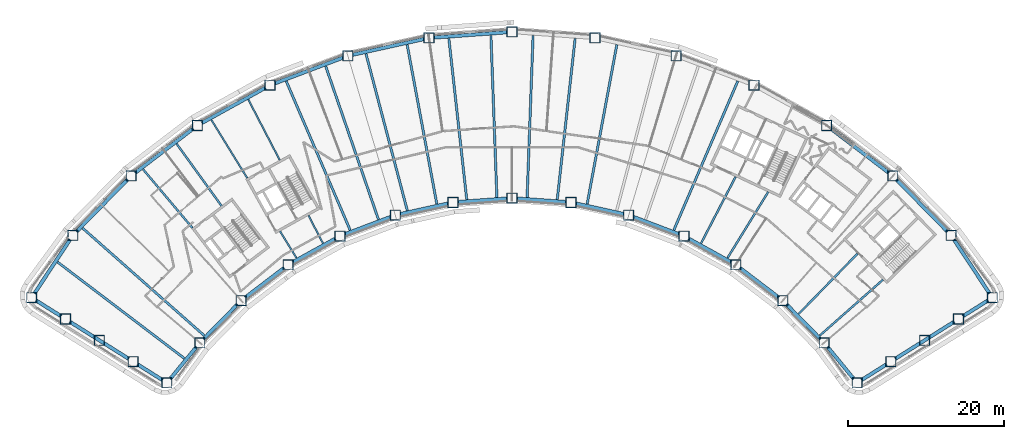
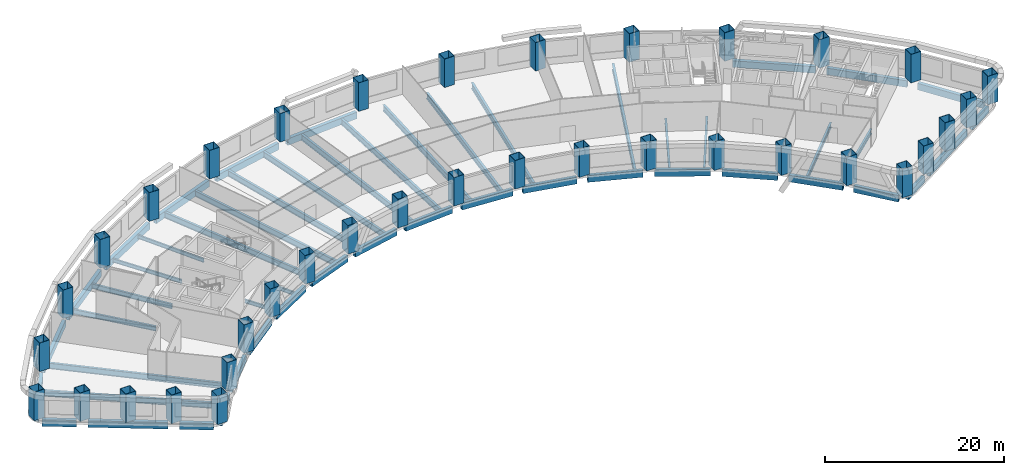
# One storey, part 1 of 11: 52 beams, 36 columns.
"""IFC4 building model written with IfcOpenShell, lengths in metres."""

from ifc_helpers import new_model, si_unit, direction, frame, origin, origin_2d, place, context, subcontext, project, spatial, hollow_rectangle, i_section, extrude, material, material_profile, profile_set, type_object, element, save


model = new_model("IFC4")

# Units and contexts
model_context = context("Model", 3, precision=1e-05, world=origin(), true_north=direction((0.0, 1.0)))
body_context = subcontext(model_context, "Body", "Model", "MODEL_VIEW")
ifc_project = project(units=[si_unit("LENGTHUNIT", "METRE"), si_unit("AREAUNIT", "SQUARE_METRE"), si_unit("VOLUMEUNIT", "CUBIC_METRE"), si_unit("PLANEANGLEUNIT", "RADIAN"), si_unit("MASSUNIT", "GRAM", prefix="KILO")], contexts=[model_context])

# Site, building, storey
site_placement = place(None, origin())
site = spatial("IfcSite", under=ifc_project, at=site_placement, CompositionType="ELEMENT")
building_placement = place(site_placement, origin())
building = spatial("IfcBuilding", under=site, at=building_placement, Name="Tuul Gate Civic Tower", CompositionType="ELEMENT")
storey_placement = place(building_placement, frame((0.0, 0.0, 35.699951171875)))
storey = spatial("IfcBuildingStorey", under=building, at=storey_placement, Name="Level 07", CompositionType="ELEMENT", Elevation=35.699951171875)

# Columns
ifc_material_1 = material(Name="Steel S355", Category="steel")
ifc_material_profile_1 = material_profile(ifc_material_1, hollow_rectangle(XDim=1.300048828125, YDim=1.300048828125, WallThickness=0.0400390625, at=origin_2d()), Name="BOX1300x1300x40")
ifc_profile_set_1 = profile_set([ifc_material_profile_1], Name="Steel S355")
column_type = type_object("IfcColumnType", Name="STR-COLUMN-BOX1300x1300x40", PredefinedType="COLUMN", material=ifc_profile_set_1)
for number, where, z_axis, x_axis, name in (
    (1, (61.6708984375, -20.22998046875, 0.0), (0.0, 0.0, 1.0), (1.0, 0.0, 0.0), "Column"),
    (2, (56.3720703125, -12.217041015625, 0.0), (0.0, 0.0, 1.0), (1.0, 0.0, 0.0), "Column"),
    (3, (48.89794921875, -4.592041015625, 0.0), (0.0, 0.0, 1.0), (1.0, 0.0, 0.0), "Column"),
    (4, (40.402099609375, 1.8759765625, 0.0), (0.0, 0.0, 1.0), (1.0, 0.0, 0.0), "Column"),
    (5, (31.06396484375, 7.052001953125, 0.0), (0.0, 0.0, 1.0), (1.0, 0.0, 0.0), "Column"),
    (6, (21.076904296875, 10.8291015625, 0.0), (0.0, 0.0, 1.0), (1.0, 0.0, 0.0), "Column"),
    (7, (10.64892578125, 13.126953125, 0.0), (0.0, 0.0, 1.0), (1.0, 0.0, 0.0), "Column"),
    (8, (0.0, 13.89794921875, 0.0), (0.0, 0.0, 1.0), (1.0, 0.0, 0.0), "Column"),
    (9, (-10.64892578125, 13.126953125, 0.0), (0.0, 0.0, 1.0), (1.0, 0.0, 0.0), "Column"),
    (10, (-21.076904296875, 10.8291015625, 0.0), (0.0, 0.0, 1.0), (1.0, 0.0, 0.0), "Column"),
    (11, (-31.06396484375, 7.052001953125, 0.0), (0.0, 0.0, 1.0), (1.0, 0.0, 0.0), "Column"),
    (12, (-40.402099609375, 1.8759765625, 0.0), (0.0, 0.0, 1.0), (1.0, 0.0, 0.0), "Column"),
    (13, (-48.89794921875, -4.592041015625, 0.0), (0.0, 0.0, 1.0), (1.0, 0.0, 0.0), "Column"),
    (14, (-56.3720703125, -12.217041015625, 0.0), (0.0, 0.0, 1.0), (1.0, 0.0, 0.0), "Column"),
    (15, (-61.6708984375, -20.22998046875, 0.0), (0.0, 0.0, 1.0), (1.0, 0.0, 0.0), "Column"),
    (16, (-57.327880859375, -22.964111328125, 0.0), (0.0, 0.0, 1.0), (1.0, 0.0, 0.0), "Column"),
    (17, (-52.986083984375, -25.698974609375, 0.0), (0.0, 0.0, 1.0), (1.0, 0.0, 0.0), "Column"),
    (18, (-48.64306640625, -28.43408203125, 0.0), (0.0, 0.0, 1.0), (1.0, 0.0, 0.0), "Column"),
    (19, (-44.301025390625, -31.16796875, 0.0), (0.0, 0.0, 1.0), (1.0, 0.0, 0.0), "Column"),
    (20, (-40.0810546875, -26.02587890625, 0.0), (0.0, 0.0, 1.0), (1.0, 0.0, 0.0), "Column"),
    (21, (-34.76708984375, -20.60498046875, 0.0), (0.0, 0.0, 1.0), (1.0, 0.0, 0.0), "Column"),
    (22, (-28.72705078125, -16.006103515625, 0.0), (0.0, 0.0, 1.0), (1.0, 0.0, 0.0), "Column"),
    (23, (-22.0869140625, -12.324951171875, 0.0), (0.0, 0.0, 1.0), (1.0, 0.0, 0.0), "Column"),
    (24, (-14.986083984375, -9.639892578125, 0.0), (0.0, 0.0, 1.0), (1.0, 0.0, 0.0), "Column"),
    (25, (-7.572021484375, -8.006103515625, 0.0), (0.0, 0.0, 1.0), (1.0, 0.0, 0.0), "Column"),
    (26, (0.0, -7.45703125, 0.0), (0.0, 0.0, 1.0), (1.0, 0.0, 0.0), "Column"),
    (27, (7.572021484375, -8.006103515625, 0.0), (0.0, 0.0, 1.0), (1.0, 0.0, 0.0), "Column"),
    (28, (14.986083984375, -9.639892578125, 0.0), (0.0, 0.0, 1.0), (1.0, 0.0, 0.0), "Column"),
    (29, (22.0869140625, -12.324951171875, 0.0), (0.0, 0.0, 1.0), (1.0, 0.0, 0.0), "Column"),
    (30, (28.72705078125, -16.006103515625, 0.0), (0.0, 0.0, 1.0), (1.0, 0.0, 0.0), "Column"),
    (31, (34.76708984375, -20.60498046875, 0.0), (0.0, 0.0, 1.0), (1.0, 0.0, 0.0), "Column"),
    (32, (40.0810546875, -26.02587890625, 0.0), (0.0, 0.0, 1.0), (1.0, 0.0, 0.0), "Column"),
    (33, (44.301025390625, -31.16796875, 0.0), (0.0, 0.0, 1.0), (1.0, 0.0, 0.0), "Column"),
    (34, (48.64306640625, -28.43408203125, 0.0), (0.0, 0.0, 1.0), (1.0, 0.0, 0.0), "Column"),
    (35, (52.986083984375, -25.698974609375, 0.0), (0.0, 0.0, 1.0), (1.0, 0.0, 0.0), "Column"),
    (36, (57.327880859375, -22.964111328125, 0.0), (0.0, 0.0, 1.0), (1.0, 0.0, 0.0), "Column"),
):
    element("IfcColumn", number, at=place(storey_placement, frame(where, z_axis=z_axis, x_axis=x_axis)), inside=storey, type_object=column_type, Name=name, PredefinedType="COLUMN", context=body_context, shape_type="SweptSolid", body=[
        extrude(hollow_rectangle(XDim=1.300048828125, YDim=1.300048828125, WallThickness=0.0400390625, at=origin_2d()), origin(), (0.0, 0.0, 1.0), 3.900146484375),
    ])

# Beams
ifc_material_2 = material(Name="Steel S355", Category="steel")
ifc_material_profile_2 = material_profile(ifc_material_2, i_section(OverallWidth=0.199951171875, OverallDepth=0.5, WebThickness=0.010009765625, FlangeThickness=0.01611328125, at=origin_2d()), Name="PG500x200x10x16")
ifc_profile_set_2 = profile_set([ifc_material_profile_2], Name="Steel S355")
beam_type_1 = type_object("IfcBeamType", Name="STR-FLOOR BEAM-PG500x200x10x16", PredefinedType="BEAM", material=ifc_profile_set_2)
beam_1_placement = place(storey_placement, frame((-24.271484375, -13.25, -0.550048828125), z_axis=(-0.460753800017, 0.887527991541, 0.0), x_axis=(-0.887527991541, -0.460753800017, 0.0)))
element("IfcBeam", 37, at=beam_1_placement, inside=storey, type_object=beam_type_1, Name="Floor beam", PredefinedType="BEAM", context=body_context, shape_type="SweptSolid", body=[
    extrude(i_section(OverallWidth=0.199951171875, OverallDepth=0.5, WebThickness=0.010009765625, FlangeThickness=0.01611328125, at=origin_2d()), origin(), (0.0, 0.0, 1.0), 4.03076171875),
])
beam_2_placement = place(storey_placement, frame((-29.816162109375, -2.570068359375, -0.550048828125), z_axis=(-0.460796303888, 0.887505924669, 0.0), x_axis=(-0.887505924669, -0.460796303888, 0.0)))
element("IfcBeam", 38, at=beam_2_placement, inside=storey, type_object=beam_type_1, Name="Floor beam", PredefinedType="BEAM", context=body_context, shape_type="SweptSolid", body=[
    extrude(i_section(OverallWidth=0.199951171875, OverallDepth=0.5, WebThickness=0.010009765625, FlangeThickness=0.01611328125, at=origin_2d()), origin(), (0.0, 0.0, 1.0), 8.77392578125),
])
beam_3_placement = place(storey_placement, frame((-27.666015625, -15.132080078125, -0.550048828125), z_axis=(-0.52482658642, 0.851209171818, 0.0), x_axis=(-0.851209171818, -0.52482658642, 0.0)))
element("IfcBeam", 39, at=beam_3_placement, inside=storey, type_object=beam_type_1, Name="Floor beam", PredefinedType="BEAM", context=body_context, shape_type="SweptSolid", body=[
    extrude(i_section(OverallWidth=0.199951171875, OverallDepth=0.5, WebThickness=0.010009765625, FlangeThickness=0.01611328125, at=origin_2d()), origin(), (0.0, 0.0, 1.0), 4.0341796875),
])
beam_4_placement = place(storey_placement, frame((-33.986572265625, -4.881591796875, -0.550048828125), z_axis=(-0.524852775892, 0.851193023725, 0.0), x_axis=(-0.851193023725, -0.524852775892, 0.0)))
element("IfcBeam", 40, at=beam_4_placement, inside=storey, type_object=beam_type_1, Name="Floor beam", PredefinedType="BEAM", context=body_context, shape_type="SweptSolid", body=[
    extrude(i_section(OverallWidth=0.199951171875, OverallDepth=0.5, WebThickness=0.010009765625, FlangeThickness=0.01611328125, at=origin_2d()), origin(), (0.0, 0.0, 1.0), 8.77978515625),
])
ifc_material_3 = material(Name="Steel S355", Category="steel")
ifc_material_profile_3 = material_profile(ifc_material_3, i_section(OverallWidth=0.25, OverallDepth=0.64990234375, WebThickness=0.011962890625, FlangeThickness=0.02001953125, at=origin_2d()), Name="PG650x250x12x20")
ifc_profile_set_3 = profile_set([ifc_material_profile_3], Name="Steel S355")
beam_type_2 = type_object("IfcBeamType", Name="STR-FLOOR BEAM-PG650x250x12x20", PredefinedType="BEAM", material=ifc_profile_set_3)
beam_5_placement = place(storey_placement, frame((39.515625, -25.092041015625, -0.625), z_axis=(0.749453803996, 0.662056640836, 0.0), x_axis=(-0.662056640836, 0.749453803996, 0.0)))
element("IfcBeam", 41, at=beam_5_placement, inside=storey, type_object=beam_type_2, Name="Floor beam", PredefinedType="BEAM", context=body_context, shape_type="SweptSolid", body=[
    extrude(i_section(OverallWidth=0.25, OverallDepth=0.64990234375, WebThickness=0.011962890625, FlangeThickness=0.02001953125, at=origin_2d()), origin(), (0.0, 0.0, 1.0), 10.819091796875),
])
beam_6_placement = place(storey_placement, frame((36.79833984375, -22.320068359375, -0.625), z_axis=(0.69867607041, 0.71543815151, 0.0), x_axis=(-0.71543815151, 0.69867607041, 0.0)))
element("IfcBeam", 42, at=beam_6_placement, inside=storey, type_object=beam_type_2, Name="Floor beam", PredefinedType="BEAM", context=body_context, shape_type="SweptSolid", body=[
    extrude(i_section(OverallWidth=0.25, OverallDepth=0.64990234375, WebThickness=0.011962890625, FlangeThickness=0.02001953125, at=origin_2d()), origin(), (0.0, 0.0, 1.0), 10.807373046875),
])
beam_7_placement = place(storey_placement, frame((27.666015625, -15.132080078125, -0.625), z_axis=(0.524860290861, 0.851188389886, 0.0), x_axis=(-0.851188389886, 0.524860290861, 0.0)))
element("IfcBeam", 43, at=beam_7_placement, inside=storey, type_object=beam_type_2, Name="Floor beam", PredefinedType="BEAM", context=body_context, shape_type="SweptSolid", body=[
    extrude(i_section(OverallWidth=0.25, OverallDepth=0.64990234375, WebThickness=0.011962890625, FlangeThickness=0.02001953125, at=origin_2d()), origin(), (0.0, 0.0, 1.0), 9.960693359375),
])
beam_8_placement = place(storey_placement, frame((24.271484375, -13.25, -0.625), z_axis=(0.460769194318, 0.887519999531, 0.0), x_axis=(-0.887519999531, 0.460769194318, 0.0)))
element("IfcBeam", 44, at=beam_8_placement, inside=storey, type_object=beam_type_2, Name="Floor beam", PredefinedType="BEAM", context=body_context, shape_type="SweptSolid", body=[
    extrude(i_section(OverallWidth=0.25, OverallDepth=0.64990234375, WebThickness=0.011962890625, FlangeThickness=0.02001953125, at=origin_2d()), origin(), (0.0, 0.0, 1.0), 9.631103515625),
])
beam_9_placement = place(storey_placement, frame((-37.289794921875, -8.447265625, -0.625), z_axis=(-0.586084828099, 0.810249698717, 0.0), x_axis=(-0.810249698717, -0.586084828099, 0.0)))
element("IfcBeam", 45, at=beam_9_placement, inside=storey, type_object=beam_type_2, Name="Floor beam", PredefinedType="BEAM", context=body_context, shape_type="SweptSolid", body=[
    extrude(i_section(OverallWidth=0.25, OverallDepth=0.64990234375, WebThickness=0.011962890625, FlangeThickness=0.02001953125, at=origin_2d()), origin(), (0.0, 0.0, 1.0), 9.85205078125),
])
beam_10_placement = place(storey_placement, frame((-41.0205078125, -11.28759765625, -0.625), z_axis=(-0.64412583455, 0.764919544308, 0.0), x_axis=(-0.764919544308, -0.64412583455, 0.0)))
element("IfcBeam", 46, at=beam_10_placement, inside=storey, type_object=beam_type_2, Name="Floor beam", PredefinedType="BEAM", context=body_context, shape_type="SweptSolid", body=[
    extrude(i_section(OverallWidth=0.25, OverallDepth=0.64990234375, WebThickness=0.011962890625, FlangeThickness=0.02001953125, at=origin_2d()), origin(), (0.0, 0.0, 1.0), 9.861083984375),
])
ifc_material_4 = material(Name="Steel S355", Category="steel")
ifc_material_profile_4 = material_profile(ifc_material_4, i_section(OverallWidth=0.300048828125, OverallDepth=0.800048828125, WebThickness=0.013916015625, FlangeThickness=0.02490234375, at=origin_2d()), Name="PG800x300x14x25")
ifc_profile_set_4 = profile_set([ifc_material_profile_4], Name="Steel S355")
beam_type_3 = type_object("IfcBeamType", Name="STR-FLOOR BEAM-PG800x300x14x25", PredefinedType="BEAM", material=ifc_profile_set_4)
beam_11_placement = place(storey_placement, frame((20.776611328125, -11.562255859375, -0.699951171875), z_axis=(0.394196672068, 0.91902610612, 0.0), x_axis=(-0.91902610612, 0.394196672068, 0.0)))
element("IfcBeam", 47, at=beam_11_placement, inside=storey, type_object=beam_type_3, Name="Floor beam", PredefinedType="BEAM", context=body_context, shape_type="SweptSolid", body=[
    extrude(i_section(OverallWidth=0.300048828125, OverallDepth=0.800048828125, WebThickness=0.013916015625, FlangeThickness=0.02490234375, at=origin_2d()), origin(), (0.0, 0.0, 1.0), 20.819580078125),
])
beam_12_placement = place(storey_placement, frame((9.6484375, -8.207763671875, -0.699951171875), z_axis=(0.183147342328, 0.98308547492, 0.0), x_axis=(-0.98308547492, 0.183147342328, 0.0)))
element("IfcBeam", 48, at=beam_12_placement, inside=storey, type_object=beam_type_3, Name="Floor beam", PredefinedType="BEAM", context=body_context, shape_type="SweptSolid", body=[
    extrude(i_section(OverallWidth=0.300048828125, OverallDepth=0.800048828125, WebThickness=0.013916015625, FlangeThickness=0.02490234375, at=origin_2d()), origin(), (0.0, 0.0, 1.0), 20.811279296875),
])
beam_13_placement = place(storey_placement, frame((5.811279296875, -7.627685546875, -0.699951171875), z_axis=(0.110288630292, 0.993899601584, 0.0), x_axis=(-0.993899601584, 0.110288630292, 0.0)))
element("IfcBeam", 49, at=beam_13_placement, inside=storey, type_object=beam_type_3, Name="Floor beam", PredefinedType="BEAM", context=body_context, shape_type="SweptSolid", body=[
    extrude(i_section(OverallWidth=0.300048828125, OverallDepth=0.800048828125, WebThickness=0.013916015625, FlangeThickness=0.02490234375, at=origin_2d()), origin(), (0.0, 0.0, 1.0), 20.81494140625),
])
for number, where, z_axis, x_axis, name in (
    (50, (1.9404296875, -7.346923828125, -0.699951171875), (0.036822059508, 0.999321838015, 0.0), (-0.999321838015, 0.036822059508, 0.0), "Floor beam"),
    (51, (-1.9404296875, -7.346923828125, -0.699951171875), (-0.036822059508, 0.999321838015, 0.0), (-0.999321838015, -0.036822059508, 0.0), "Floor beam"),
):
    element("IfcBeam", number, at=place(storey_placement, frame(where, z_axis=z_axis, x_axis=x_axis)), inside=storey, type_object=beam_type_3, Name=name, PredefinedType="BEAM", context=body_context, shape_type="SweptSolid", body=[
        extrude(i_section(OverallWidth=0.300048828125, OverallDepth=0.800048828125, WebThickness=0.013916015625, FlangeThickness=0.02490234375, at=origin_2d()), origin(), (0.0, 0.0, 1.0), 20.8125),
    ])
beam_14_placement = place(storey_placement, frame((-5.811279296875, -7.627685546875, -0.699951171875), z_axis=(-0.110288630292, 0.993899601584, 0.0), x_axis=(-0.993899601584, -0.110288630292, 0.0)))
element("IfcBeam", 52, at=beam_14_placement, inside=storey, type_object=beam_type_3, Name="Floor beam", PredefinedType="BEAM", context=body_context, shape_type="SweptSolid", body=[
    extrude(i_section(OverallWidth=0.300048828125, OverallDepth=0.800048828125, WebThickness=0.013916015625, FlangeThickness=0.02490234375, at=origin_2d()), origin(), (0.0, 0.0, 1.0), 20.81494140625),
])
beam_15_placement = place(storey_placement, frame((-9.6484375, -8.207763671875, -0.699951171875), z_axis=(-0.183147342328, 0.98308547492, 0.0), x_axis=(-0.98308547492, -0.183147342328, 0.0)))
element("IfcBeam", 53, at=beam_15_placement, inside=storey, type_object=beam_type_3, Name="Floor beam", PredefinedType="BEAM", context=body_context, shape_type="SweptSolid", body=[
    extrude(i_section(OverallWidth=0.300048828125, OverallDepth=0.800048828125, WebThickness=0.013916015625, FlangeThickness=0.02490234375, at=origin_2d()), origin(), (0.0, 0.0, 1.0), 20.811279296875),
])
beam_16_placement = place(storey_placement, frame((-13.438720703125, -9.04296875, -0.699951171875), z_axis=(-0.255004720301, 0.96693980817, 0.0), x_axis=(-0.96693980817, -0.255004720301, 0.0)))
element("IfcBeam", 54, at=beam_16_placement, inside=storey, type_object=beam_type_3, Name="Floor beam", PredefinedType="BEAM", context=body_context, shape_type="SweptSolid", body=[
    extrude(i_section(OverallWidth=0.300048828125, OverallDepth=0.800048828125, WebThickness=0.013916015625, FlangeThickness=0.02490234375, at=origin_2d()), origin(), (0.0, 0.0, 1.0), 20.817626953125),
])
beam_17_placement = place(storey_placement, frame((-17.146240234375, -10.189453125, -0.699951171875), z_axis=(-0.325486974479, 0.945546524209, 0.0), x_axis=(-0.945546524209, -0.325486974479, 0.0)))
element("IfcBeam", 55, at=beam_17_placement, inside=storey, type_object=beam_type_3, Name="Floor beam", PredefinedType="BEAM", context=body_context, shape_type="SweptSolid", body=[
    extrude(i_section(OverallWidth=0.300048828125, OverallDepth=0.800048828125, WebThickness=0.013916015625, FlangeThickness=0.02490234375, at=origin_2d()), origin(), (0.0, 0.0, 1.0), 20.809326171875),
])
beam_18_placement = place(storey_placement, frame((-20.776611328125, -11.562255859375, -0.699951171875), z_axis=(-0.394196672068, 0.91902610612, 0.0), x_axis=(-0.91902610612, -0.394196672068, 0.0)))
element("IfcBeam", 56, at=beam_18_placement, inside=storey, type_object=beam_type_3, Name="Floor beam", PredefinedType="BEAM", context=body_context, shape_type="SweptSolid", body=[
    extrude(i_section(OverallWidth=0.300048828125, OverallDepth=0.800048828125, WebThickness=0.013916015625, FlangeThickness=0.02490234375, at=origin_2d()), origin(), (0.0, 0.0, 1.0), 20.819580078125),
])
beam_19_placement = place(storey_placement, frame((-39.515625, -25.092041015625, -0.699951171875), z_axis=(-0.749453243269, 0.662057275584, 0.0), x_axis=(-0.662057275584, -0.749453243269, 0.0)))
element("IfcBeam", 57, at=beam_19_placement, inside=storey, type_object=beam_type_3, Name="Floor beam", PredefinedType="BEAM", context=body_context, shape_type="SweptSolid", body=[
    extrude(i_section(OverallWidth=0.300048828125, OverallDepth=0.800048828125, WebThickness=0.013916015625, FlangeThickness=0.02490234375, at=origin_2d()), origin(), (0.0, 0.0, 1.0), 20.828369140625),
])
beam_20_placement = place(storey_placement, frame((-42.0546875, -28.036865234375, -0.699951171875), z_axis=(-0.796150928405, 0.60509809056, 0.0), x_axis=(-0.60509809056, -0.796150928405, 0.0)))
element("IfcBeam", 58, at=beam_20_placement, inside=storey, type_object=beam_type_3, Name="Floor beam", PredefinedType="BEAM", context=body_context, shape_type="SweptSolid", body=[
    extrude(i_section(OverallWidth=0.300048828125, OverallDepth=0.800048828125, WebThickness=0.013916015625, FlangeThickness=0.02490234375, at=origin_2d()), origin(), (0.0, 0.0, 1.0), 20.462646484375),
])
ifc_material_5 = material(Name="Steel S355", Category="steel")
ifc_material_profile_5 = material_profile(ifc_material_5, hollow_rectangle(XDim=0.449951171875, YDim=0.89990234375, WallThickness=0.02490234375, at=origin_2d()), Name="BOX900x450x25")
ifc_profile_set_5 = profile_set([ifc_material_profile_5], Name="Steel S355")
beam_type_4 = type_object("IfcBeamType", Name="STR-SPANDREL BEAM-BOX900x450x25", PredefinedType="BEAM", material=ifc_profile_set_5)
beam_21_placement = place(storey_placement, frame((61.3125, -19.687744140625, -0.75), z_axis=(-0.551617087086, 0.834097469865, 0.0), x_axis=(-0.834097469865, -0.551617087086, 0.0)))
element("IfcBeam", 59, at=beam_21_placement, inside=storey, type_object=beam_type_4, Name="Spandrel beam", PredefinedType="BEAM", context=body_context, shape_type="SweptSolid", body=[
    extrude(hollow_rectangle(XDim=0.449951171875, YDim=0.89990234375, WallThickness=0.02490234375, at=origin_2d()), origin(), (0.0, 0.0, 1.0), 8.306640625),
])
beam_22_placement = place(storey_placement, frame((55.9169921875, -11.752685546875, -0.75), z_axis=(-0.700002686238, 0.714140209805, 0.0), x_axis=(-0.714140209805, -0.700002686238, 0.0)))
element("IfcBeam", 60, at=beam_22_placement, inside=storey, type_object=beam_type_4, Name="Spandrel beam", PredefinedType="BEAM", context=body_context, shape_type="SweptSolid", body=[
    extrude(hollow_rectangle(XDim=0.449951171875, YDim=0.89990234375, WallThickness=0.02490234375, at=origin_2d()), origin(), (0.0, 0.0, 1.0), 9.376953125),
])
beam_23_placement = place(storey_placement, frame((48.380859375, -4.1982421875, -0.75), z_axis=(-0.795671303352, 0.605728633154, 0.0), x_axis=(-0.605728633154, -0.795671303352, 0.0)))
element("IfcBeam", 61, at=beam_23_placement, inside=storey, type_object=beam_type_4, Name="Spandrel beam", PredefinedType="BEAM", context=body_context, shape_type="SweptSolid", body=[
    extrude(hollow_rectangle(XDim=0.449951171875, YDim=0.89990234375, WallThickness=0.02490234375, at=origin_2d()), origin(), (0.0, 0.0, 1.0), 9.3779296875),
])
beam_24_placement = place(storey_placement, frame((-0.648193359375, 13.85107421875, -0.75), z_axis=(-0.997388439542, -0.072223961869, 0.0), x_axis=(0.072223961869, -0.997388439542, 0.0)))
element("IfcBeam", 62, at=beam_24_placement, inside=storey, type_object=beam_type_4, Name="Spandrel beam", PredefinedType="BEAM", context=body_context, shape_type="SweptSolid", body=[
    extrude(hollow_rectangle(XDim=0.449951171875, YDim=0.89990234375, WallThickness=0.02490234375, at=origin_2d()), origin(), (0.0, 0.0, 1.0), 9.376953125),
])
beam_25_placement = place(storey_placement, frame((-11.28369140625, 12.987060546875, -0.75), z_axis=(-0.976572630495, -0.215188051174, 0.0), x_axis=(0.215188051174, -0.976572630495, 0.0)))
element("IfcBeam", 63, at=beam_25_placement, inside=storey, type_object=beam_type_4, Name="Spandrel beam", PredefinedType="BEAM", context=body_context, shape_type="SweptSolid", body=[
    extrude(hollow_rectangle(XDim=0.449951171875, YDim=0.89990234375, WallThickness=0.02490234375, at=origin_2d()), origin(), (0.0, 0.0, 1.0), 9.378173828125),
])
beam_26_placement = place(storey_placement, frame((-21.68505859375, 10.59912109375, -0.75), z_axis=(-0.935343306637, -0.353741287849, 0.0), x_axis=(0.353741287849, -0.935343306637, 0.0)))
element("IfcBeam", 64, at=beam_26_placement, inside=storey, type_object=beam_type_4, Name="Spandrel beam", PredefinedType="BEAM", context=body_context, shape_type="SweptSolid", body=[
    extrude(hollow_rectangle(XDim=0.449951171875, YDim=0.89990234375, WallThickness=0.02490234375, at=origin_2d()), origin(), (0.0, 0.0, 1.0), 9.377197265625),
])
beam_27_placement = place(storey_placement, frame((-31.632568359375, 6.73681640625, -0.75), z_axis=(-0.874628488078, -0.484793778676, 0.0), x_axis=(0.484793778676, -0.874628488078, 0.0)))
element("IfcBeam", 65, at=beam_27_placement, inside=storey, type_object=beam_type_4, Name="Spandrel beam", PredefinedType="BEAM", context=body_context, shape_type="SweptSolid", body=[
    extrude(hollow_rectangle(XDim=0.449951171875, YDim=0.89990234375, WallThickness=0.02490234375, at=origin_2d()), origin(), (0.0, 0.0, 1.0), 9.37646484375),
])
beam_28_placement = place(storey_placement, frame((-40.919189453125, 1.482177734375, -0.75), z_axis=(-0.795671303352, -0.605728633154, 0.0), x_axis=(0.605728633154, -0.795671303352, 0.0)))
element("IfcBeam", 66, at=beam_28_placement, inside=storey, type_object=beam_type_4, Name="Spandrel beam", PredefinedType="BEAM", context=body_context, shape_type="SweptSolid", body=[
    extrude(hollow_rectangle(XDim=0.449951171875, YDim=0.89990234375, WallThickness=0.02490234375, at=origin_2d()), origin(), (0.0, 0.0, 1.0), 9.3779296875),
])
beam_29_placement = place(storey_placement, frame((-49.35302734375, -5.05615234375, -0.75), z_axis=(-0.700002686238, -0.714140209805, 0.0), x_axis=(0.714140209805, -0.700002686238, 0.0)))
element("IfcBeam", 67, at=beam_29_placement, inside=storey, type_object=beam_type_4, Name="Spandrel beam", PredefinedType="BEAM", context=body_context, shape_type="SweptSolid", body=[
    extrude(hollow_rectangle(XDim=0.449951171875, YDim=0.89990234375, WallThickness=0.02490234375, at=origin_2d()), origin(), (0.0, 0.0, 1.0), 9.376953125),
])
beam_30_placement = place(storey_placement, frame((-56.73046875, -12.75927734375, -0.75), z_axis=(-0.551617087086, -0.834097469865, 0.0), x_axis=(0.834097469865, -0.551617087086, 0.0)))
element("IfcBeam", 68, at=beam_30_placement, inside=storey, type_object=beam_type_4, Name="Spandrel beam", PredefinedType="BEAM", context=body_context, shape_type="SweptSolid", body=[
    extrude(hollow_rectangle(XDim=0.449951171875, YDim=0.89990234375, WallThickness=0.02490234375, at=origin_2d()), origin(), (0.0, 0.0, 1.0), 8.306640625),
])
beam_31_placement = place(storey_placement, frame((-61.120849609375, -20.576171875, -0.75), z_axis=(0.84625411926, -0.53277947186, 0.0), x_axis=(0.53277947186, 0.84625411926, 0.0)))
element("IfcBeam", 69, at=beam_31_placement, inside=storey, type_object=beam_type_4, Name="Spandrel beam", PredefinedType="BEAM", context=body_context, shape_type="SweptSolid", body=[
    extrude(hollow_rectangle(XDim=0.449951171875, YDim=0.89990234375, WallThickness=0.02490234375, at=origin_2d()), origin(), (0.0, 0.0, 1.0), 3.831787109375),
])
beam_32_placement = place(storey_placement, frame((-56.778076171875, -23.310302734375, -0.75), z_axis=(0.846150963227, -0.532943287255, 0.0), x_axis=(0.532943287255, 0.846150963227, 0.0)))
element("IfcBeam", 70, at=beam_32_placement, inside=storey, type_object=beam_type_4, Name="Spandrel beam", PredefinedType="BEAM", context=body_context, shape_type="SweptSolid", body=[
    extrude(hollow_rectangle(XDim=0.449951171875, YDim=0.89990234375, WallThickness=0.02490234375, at=origin_2d()), origin(), (0.0, 0.0, 1.0), 8.964111328125),
])
beam_33_placement = place(storey_placement, frame((-48.093017578125, -28.7802734375, -0.75), z_axis=(0.846199849372, -0.532865663111, 0.0), x_axis=(0.532865663111, 0.846199849372, 0.0)))
element("IfcBeam", 71, at=beam_33_placement, inside=storey, type_object=beam_type_4, Name="Spandrel beam", PredefinedType="BEAM", context=body_context, shape_type="SweptSolid", body=[
    extrude(hollow_rectangle(XDim=0.449951171875, YDim=0.89990234375, WallThickness=0.02490234375, at=origin_2d()), origin(), (0.0, 0.0, 1.0), 3.831298828125),
])
beam_34_placement = place(storey_placement, frame((-43.888671875, -30.66552734375, -0.75), z_axis=(0.634409581781, 0.772997077966, 0.0), x_axis=(-0.772997077966, 0.634409581781, 0.0)))
element("IfcBeam", 72, at=beam_34_placement, inside=storey, type_object=beam_type_4, Name="Spandrel beam", PredefinedType="BEAM", context=body_context, shape_type="SweptSolid", body=[
    extrude(hollow_rectangle(XDim=0.449951171875, YDim=0.89990234375, WallThickness=0.02490234375, at=origin_2d()), origin(), (0.0, 0.0, 1.0), 5.351806640625),
])
beam_35_placement = place(storey_placement, frame((-39.6259765625, -25.561767578125, -0.75), z_axis=(0.700028343012, 0.714115060043, 0.0), x_axis=(-0.714115060043, 0.700028343012, 0.0)))
element("IfcBeam", 73, at=beam_35_placement, inside=storey, type_object=beam_type_4, Name="Spandrel beam", PredefinedType="BEAM", context=body_context, shape_type="SweptSolid", body=[
    extrude(hollow_rectangle(XDim=0.449951171875, YDim=0.89990234375, WallThickness=0.02490234375, at=origin_2d()), origin(), (0.0, 0.0, 1.0), 6.291259765625),
])
beam_36_placement = place(storey_placement, frame((-34.249755859375, -20.211181640625, -0.75), z_axis=(0.795606278915, 0.605814038259, 0.0), x_axis=(-0.605814038259, 0.795606278915, 0.0)))
element("IfcBeam", 74, at=beam_36_placement, inside=storey, type_object=beam_type_4, Name="Spandrel beam", PredefinedType="BEAM", context=body_context, shape_type="SweptSolid", body=[
    extrude(hollow_rectangle(XDim=0.449951171875, YDim=0.89990234375, WallThickness=0.02490234375, at=origin_2d()), origin(), (0.0, 0.0, 1.0), 6.29150390625),
])
beam_37_placement = place(storey_placement, frame((-28.158447265625, -15.69091796875, -0.75), z_axis=(0.874588873098, 0.484865242158, 0.0), x_axis=(-0.484865242158, 0.874588873098, 0.0)))
element("IfcBeam", 75, at=beam_37_placement, inside=storey, type_object=beam_type_4, Name="Spandrel beam", PredefinedType="BEAM", context=body_context, shape_type="SweptSolid", body=[
    extrude(hollow_rectangle(XDim=0.449951171875, YDim=0.89990234375, WallThickness=0.02490234375, at=origin_2d()), origin(), (0.0, 0.0, 1.0), 6.2919921875),
])
beam_38_placement = place(storey_placement, frame((-21.47900390625, -12.09521484375, -0.75), z_axis=(0.93536086851, 0.353694848225, 0.0), x_axis=(-0.353694848225, 0.93536086851, 0.0)))
element("IfcBeam", 76, at=beam_38_placement, inside=storey, type_object=beam_type_4, Name="Spandrel beam", PredefinedType="BEAM", context=body_context, shape_type="SweptSolid", body=[
    extrude(hollow_rectangle(XDim=0.449951171875, YDim=0.89990234375, WallThickness=0.02490234375, at=origin_2d()), origin(), (0.0, 0.0, 1.0), 6.291748046875),
])
beam_39_placement = place(storey_placement, frame((-14.351318359375, -9.5, -0.75), z_axis=(0.976570802394, 0.215196347349, 0.0), x_axis=(-0.215196347349, 0.976570802394, 0.0)))
element("IfcBeam", 77, at=beam_39_placement, inside=storey, type_object=beam_type_4, Name="Spandrel beam", PredefinedType="BEAM", context=body_context, shape_type="SweptSolid", body=[
    extrude(hollow_rectangle(XDim=0.449951171875, YDim=0.89990234375, WallThickness=0.02490234375, at=origin_2d()), origin(), (0.0, 0.0, 1.0), 6.2919921875),
])
for number, where, z_axis, x_axis, name in (
    (78, (-6.923583984375, -7.958984375, -0.75), (0.997380902931, 0.072327964638, 0.0), (-0.072327964638, 0.997380902931, 0.0), "Spandrel beam"),
    (79, (0.648193359375, -7.50390625, -0.75), (0.997380902931, -0.072327964638, 0.0), (0.072327964638, 0.997380902931, 0.0), "Spandrel beam"),
):
    element("IfcBeam", number, at=place(storey_placement, frame(where, z_axis=z_axis, x_axis=x_axis)), inside=storey, type_object=beam_type_4, Name=name, PredefinedType="BEAM", context=body_context, shape_type="SweptSolid", body=[
        extrude(hollow_rectangle(XDim=0.449951171875, YDim=0.89990234375, WallThickness=0.02490234375, at=origin_2d()), origin(), (0.0, 0.0, 1.0), 6.291748046875),
    ])
beam_40_placement = place(storey_placement, frame((8.206787109375, -8.14599609375, -0.75), z_axis=(0.976570802394, -0.215196347349, 0.0), x_axis=(0.215196347349, 0.976570802394, 0.0)))
element("IfcBeam", 80, at=beam_40_placement, inside=storey, type_object=beam_type_4, Name="Spandrel beam", PredefinedType="BEAM", context=body_context, shape_type="SweptSolid", body=[
    extrude(hollow_rectangle(XDim=0.449951171875, YDim=0.89990234375, WallThickness=0.02490234375, at=origin_2d()), origin(), (0.0, 0.0, 1.0), 6.2919921875),
])
beam_41_placement = place(storey_placement, frame((15.593994140625, -9.869873046875, -0.75), z_axis=(0.93536086851, -0.353694848225, 0.0), x_axis=(0.353694848225, 0.93536086851, 0.0)))
element("IfcBeam", 81, at=beam_41_placement, inside=storey, type_object=beam_type_4, Name="Spandrel beam", PredefinedType="BEAM", context=body_context, shape_type="SweptSolid", body=[
    extrude(hollow_rectangle(XDim=0.449951171875, YDim=0.89990234375, WallThickness=0.02490234375, at=origin_2d()), origin(), (0.0, 0.0, 1.0), 6.291748046875),
])
beam_42_placement = place(storey_placement, frame((22.655517578125, -12.64013671875, -0.75), z_axis=(0.874588873098, -0.484865242158, 0.0), x_axis=(0.484865242158, 0.874588873098, 0.0)))
element("IfcBeam", 82, at=beam_42_placement, inside=storey, type_object=beam_type_4, Name="Spandrel beam", PredefinedType="BEAM", context=body_context, shape_type="SweptSolid", body=[
    extrude(hollow_rectangle(XDim=0.449951171875, YDim=0.89990234375, WallThickness=0.02490234375, at=origin_2d()), origin(), (0.0, 0.0, 1.0), 6.2919921875),
])
beam_43_placement = place(storey_placement, frame((29.244140625, -16.399658203125, -0.75), z_axis=(0.795606278915, -0.605814038259, 0.0), x_axis=(0.605814038259, 0.795606278915, 0.0)))
element("IfcBeam", 83, at=beam_43_placement, inside=storey, type_object=beam_type_4, Name="Spandrel beam", PredefinedType="BEAM", context=body_context, shape_type="SweptSolid", body=[
    extrude(hollow_rectangle(XDim=0.449951171875, YDim=0.89990234375, WallThickness=0.02490234375, at=origin_2d()), origin(), (0.0, 0.0, 1.0), 6.29150390625),
])
beam_44_placement = place(storey_placement, frame((35.221923828125, -21.069091796875, -0.75), z_axis=(0.700028343012, -0.714115060043, 0.0), x_axis=(0.714115060043, 0.700028343012, 0.0)))
element("IfcBeam", 84, at=beam_44_placement, inside=storey, type_object=beam_type_4, Name="Spandrel beam", PredefinedType="BEAM", context=body_context, shape_type="SweptSolid", body=[
    extrude(hollow_rectangle(XDim=0.449951171875, YDim=0.89990234375, WallThickness=0.02490234375, at=origin_2d()), origin(), (0.0, 0.0, 1.0), 6.291259765625),
])
beam_45_placement = place(storey_placement, frame((40.493408203125, -26.528564453125, -0.75), z_axis=(0.634409581781, -0.772997077966, 0.0), x_axis=(0.772997077966, 0.634409581781, 0.0)))
element("IfcBeam", 85, at=beam_45_placement, inside=storey, type_object=beam_type_4, Name="Spandrel beam", PredefinedType="BEAM", context=body_context, shape_type="SweptSolid", body=[
    extrude(hollow_rectangle(XDim=0.449951171875, YDim=0.89990234375, WallThickness=0.02490234375, at=origin_2d()), origin(), (0.0, 0.0, 1.0), 5.351806640625),
])
beam_46_placement = place(storey_placement, frame((44.85107421875, -30.82177734375, -0.75), z_axis=(0.846199849372, 0.532865663111, 0.0), x_axis=(-0.532865663111, 0.846199849372, 0.0)))
element("IfcBeam", 86, at=beam_46_placement, inside=storey, type_object=beam_type_4, Name="Spandrel beam", PredefinedType="BEAM", context=body_context, shape_type="SweptSolid", body=[
    extrude(hollow_rectangle(XDim=0.449951171875, YDim=0.89990234375, WallThickness=0.02490234375, at=origin_2d()), origin(), (0.0, 0.0, 1.0), 3.831298828125),
])
beam_47_placement = place(storey_placement, frame((49.193115234375, -28.087646484375, -0.75), z_axis=(0.846150963227, 0.532943287255, 0.0), x_axis=(-0.532943287255, 0.846150963227, 0.0)))
element("IfcBeam", 87, at=beam_47_placement, inside=storey, type_object=beam_type_4, Name="Spandrel beam", PredefinedType="BEAM", context=body_context, shape_type="SweptSolid", body=[
    extrude(hollow_rectangle(XDim=0.449951171875, YDim=0.89990234375, WallThickness=0.02490234375, at=origin_2d()), origin(), (0.0, 0.0, 1.0), 8.964111328125),
])
beam_48_placement = place(storey_placement, frame((57.878173828125, -22.61767578125, -0.75), z_axis=(0.84625411926, 0.53277947186, 0.0), x_axis=(-0.53277947186, 0.84625411926, 0.0)))
element("IfcBeam", 88, at=beam_48_placement, inside=storey, type_object=beam_type_4, Name="Spandrel beam", PredefinedType="BEAM", context=body_context, shape_type="SweptSolid", body=[
    extrude(hollow_rectangle(XDim=0.449951171875, YDim=0.89990234375, WallThickness=0.02490234375, at=origin_2d()), origin(), (0.0, 0.0, 1.0), 3.831787109375),
])

save(model, "model.ifc")
